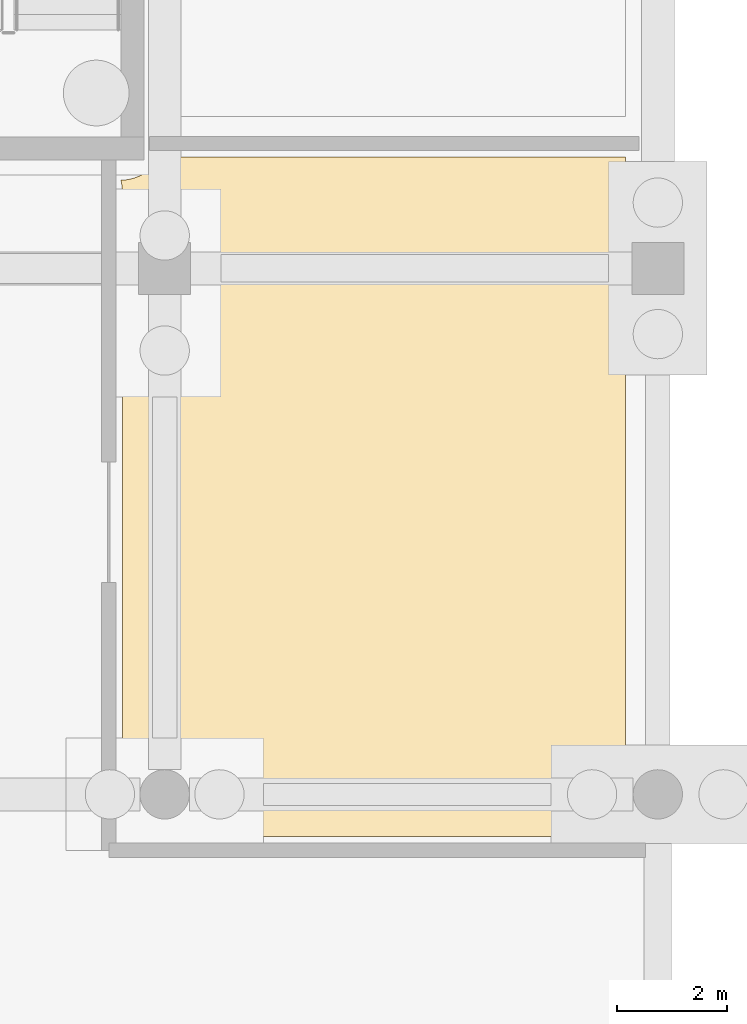
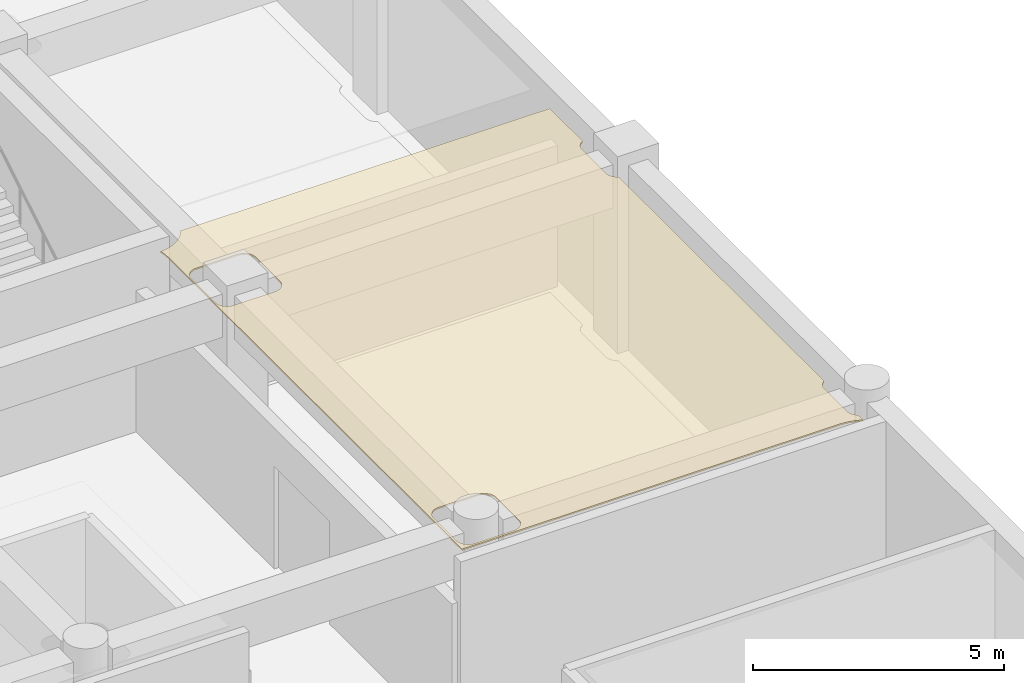
# One storey, part 46 of 47: 1 covering.
"""IFC4 building model written with IfcOpenShell, lengths in metres."""

from ifc_helpers import new_model, si_unit, direction, frame, origin, place, context, subcontext, project, spatial, polyline, outline, extrude, material, layer, layer_set, type_object, element, save


model = new_model("IFC4")

# Units and contexts
model_context = context("Model", 3, precision=1e-05, world=origin(), true_north=direction((0.0, 1.0)))
body_context = subcontext(model_context, "Body", "Model", "MODEL_VIEW")
ifc_project = project(units=[si_unit("LENGTHUNIT", "METRE"), si_unit("AREAUNIT", "SQUARE_METRE"), si_unit("VOLUMEUNIT", "CUBIC_METRE"), si_unit("PLANEANGLEUNIT", "RADIAN"), si_unit("MASSUNIT", "GRAM", prefix="KILO")], contexts=[model_context])

# Site, building, storey
site_placement = place(None, origin())
site = spatial("IfcSite", under=ifc_project, at=site_placement, CompositionType="ELEMENT")
building_placement = place(site_placement, origin())
building = spatial("IfcBuilding", under=site, at=building_placement, Name="Cendralis Terraced Arcade", CompositionType="ELEMENT")
storey_placement = place(building_placement, frame((0.0, 0.0, -4.800048828125)))
storey = spatial("IfcBuildingStorey", under=building, at=storey_placement, Name="B1", CompositionType="ELEMENT", Elevation=-4.800048828125)

# Covering
ifc_material = material(Name="Warm Andean oak timber", Category="wood")
ifc_layer = layer(ifc_material, 0.034912109375, Name="COV-CEIL-OAK-35")
ifc_layer_set = layer_set([ifc_layer], Name="Warm Andean oak timber")
covering_type = type_object("IfcCoveringType", Name="COV-CEIL-OAK-35", PredefinedType="CEILING", material=ifc_layer_set)
covering_placement = place(storey_placement, frame((0.0, 0.0, 4.465087890625)))
element("IfcCovering", 1, at=covering_placement, inside=storey, type_object=covering_type, Name="Acoustic Soffit Ceiling B1-015", PredefinedType="CEILING", context=body_context, shape_type="SweptSolid", body=[
    extrude(outline(polyline([(156.406005859375, 71.210205078125), (156.412109375, 71.210205078125), (156.418212890625, 71.21044921875), (156.459228515625, 71.21240234375), (156.4716796875, 71.21337890625), (156.4833984375, 71.214599609375), (156.49560546875, 71.216064453125), (156.5361328125, 71.22216796875), (156.54833984375, 71.22412109375), (156.559814453125, 71.2265625), (156.57177734375, 71.229248046875), (156.61181640625, 71.2392578125), (156.62353515625, 71.242431640625), (156.635009765625, 71.245849609375), (156.646484375, 71.249755859375), (156.685302734375, 71.263671875), (156.69677734375, 71.26806640625), (156.707763671875, 71.2724609375), (156.718994140625, 71.277587890625), (156.756103515625, 71.295166015625), (156.76708984375, 71.300537109375), (156.777587890625, 71.30615234375), (156.7880859375, 71.312255859375), (156.823486328125, 71.33349609375), (156.833984375, 71.340087890625), (156.84375, 71.346435546875), (156.853759765625, 71.353515625), (156.886962890625, 71.378173828125), (156.896484375, 71.3857421875), (156.905517578125, 71.393310546875), (156.914794921875, 71.401123046875), (156.945556640625, 71.428955078125), (156.954345703125, 71.437255859375), (156.962646484375, 71.44580078125), (156.97119140625, 71.45458984375), (156.998779296875, 71.485107421875), (157.0068359375, 71.494384765625), (157.014404296875, 71.50341796875), (157.02197265625, 71.51318359375), (157.04638671875, 71.54638671875), (157.053466796875, 71.556396484375), (157.06005859375, 71.566162109375), (157.066650390625, 71.576416015625), (157.087890625, 71.61181640625), (157.09375, 71.62255859375), (157.097900390625, 71.6298828125), (165.610107421875, 71.6298828125), (165.610107421875, 70.3193359375), (165.608642578125, 70.318603515625), (165.5869140625, 70.30712890625), (165.58544921875, 70.30615234375), (165.56494140625, 70.29248046875), (165.5634765625, 70.291259765625), (165.54443359375, 70.275634765625), (165.54296875, 70.2744140625), (165.525634765625, 70.257080078125), (165.5244140625, 70.255615234375), (165.5087890625, 70.236572265625), (165.507568359375, 70.235107421875), (165.493896484375, 70.214599609375), (165.492919921875, 70.212890625), (165.4814453125, 70.19140625), (165.48046875, 70.189453125), (165.47119140625, 70.1669921875), (165.470458984375, 70.1650390625), (165.46337890625, 70.1416015625), (165.462890625, 70.1396484375), (165.4580078125, 70.115478515625), (165.457763671875, 70.113525390625), (165.455322265625, 70.089111328125), (165.455322265625, 70.08740234375), (165.455078125, 70.074951171875), (165.455078125, 69.125), (165.455322265625, 69.11279296875), (165.455322265625, 69.11083984375), (165.457763671875, 69.08642578125), (165.4580078125, 69.08447265625), (165.462890625, 69.060302734375), (165.46337890625, 69.058349609375), (165.470458984375, 69.034912109375), (165.47119140625, 69.033203125), (165.48046875, 69.010498046875), (165.4814453125, 69.0087890625), (165.492919921875, 68.987060546875), (165.493896484375, 68.9853515625), (165.507568359375, 68.965087890625), (165.5087890625, 68.96337890625), (165.5244140625, 68.9443359375), (165.525634765625, 68.943115234375), (165.54296875, 68.925537109375), (165.54443359375, 68.92431640625), (165.5634765625, 68.90869140625), (165.56494140625, 68.90771484375), (165.58544921875, 68.893798828125), (165.5869140625, 68.892822265625), (165.608642578125, 68.88134765625), (165.610107421875, 68.880615234375), (165.610107421875, 60.680908203125), (165.590087890625, 60.66748046875), (165.58837890625, 60.666259765625), (165.5693359375, 60.650634765625), (165.568115234375, 60.6494140625), (165.550537109375, 60.632080078125), (165.54931640625, 60.630615234375), (165.53369140625, 60.611572265625), (165.53271484375, 60.610107421875), (165.518798828125, 60.589599609375), (165.517822265625, 60.587890625), (165.50634765625, 60.56640625), (165.505615234375, 60.564453125), (165.49609375, 60.5419921875), (165.49560546875, 60.5400390625), (165.48828125, 60.5166015625), (165.48779296875, 60.5146484375), (165.483154296875, 60.490478515625), (165.48291015625, 60.488525390625), (165.48046875, 60.464111328125), (165.480224609375, 60.46240234375), (165.47998046875, 60.449951171875), (165.47998046875, 59.550048828125), (165.480224609375, 59.53759765625), (165.48046875, 59.535888671875), (165.48291015625, 59.511474609375), (165.483154296875, 59.509521484375), (165.48779296875, 59.4853515625), (165.48828125, 59.4833984375), (165.49560546875, 59.4599609375), (165.49609375, 59.4580078125), (165.505615234375, 59.435546875), (165.50634765625, 59.43359375), (165.517822265625, 59.412109375), (165.518798828125, 59.410400390625), (165.53271484375, 59.389892578125), (165.53369140625, 59.388427734375), (165.54931640625, 59.369384765625), (165.550537109375, 59.367919921875), (165.568115234375, 59.3505859375), (165.5693359375, 59.349365234375), (165.58837890625, 59.333740234375), (165.590087890625, 59.33251953125), (165.610107421875, 59.319091796875), (165.610107421875, 59.115234375), (165.56689453125, 59.1357421875), (165.561279296875, 59.13818359375), (165.555908203125, 59.140625), (165.55029296875, 59.14306640625), (165.539306640625, 59.147705078125), (165.53369140625, 59.14990234375), (165.528076171875, 59.152099609375), (165.522216796875, 59.154296875), (165.465087890625, 59.1748046875), (165.459228515625, 59.1767578125), (165.45361328125, 59.178466796875), (165.44775390625, 59.180419921875), (165.4365234375, 59.183837890625), (165.4306640625, 59.185546875), (165.425048828125, 59.18701171875), (165.4189453125, 59.188720703125), (165.360107421875, 59.203369140625), (165.35400390625, 59.204833984375), (165.348388671875, 59.2060546875), (165.34228515625, 59.20751953125), (165.330810546875, 59.209716796875), (165.32470703125, 59.210693359375), (165.31884765625, 59.2119140625), (165.31298828125, 59.212890625), (165.252685546875, 59.2216796875), (165.24658203125, 59.222412109375), (165.24072265625, 59.223388671875), (165.234619140625, 59.223876953125), (165.222900390625, 59.22509765625), (165.216796875, 59.2255859375), (165.2109375, 59.22607421875), (165.204833984375, 59.226318359375), (165.14404296875, 59.2294921875), (165.14111328125, 59.2294921875), (165.137939453125, 59.2294921875), (165.135009765625, 59.229736328125), (165.129150390625, 59.22998046875), (165.1259765625, 59.22998046875), (165.123046875, 59.22998046875), (165.1201171875, 59.22998046875), (156.429931640625, 59.22998046875), (156.429931640625, 70.9599609375), (156.429931640625, 70.963134765625), (156.429931640625, 70.966064453125), (156.429931640625, 70.968994140625), (156.4296875, 70.97509765625), (156.4296875, 70.97802734375), (156.429443359375, 70.98095703125), (156.429443359375, 70.98388671875), (156.426513671875, 71.044921875), (156.426025390625, 71.05078125), (156.425537109375, 71.056884765625), (156.425048828125, 71.06298828125), (156.423828125, 71.07470703125), (156.42333984375, 71.080810546875), (156.422607421875, 71.086669921875), (156.421630859375, 71.0927734375), (156.412841796875, 71.15283203125), (156.411865234375, 71.158935546875), (156.410888671875, 71.164794921875), (156.40966796875, 71.170654296875), (156.407470703125, 71.182373046875), (156.406005859375, 71.188232421875), (156.40478515625, 71.194091796875), (156.4033203125, 71.199951171875), (156.40087890625, 71.2099609375), (156.406005859375, 71.210205078125)]), holes=[polyline([(156.608642578125, 68.88134765625), (156.610595703125, 68.880615234375), (156.633056640625, 68.87109375), (156.635009765625, 68.87060546875), (156.658447265625, 68.86328125), (156.660400390625, 68.86279296875), (156.684326171875, 68.858154296875), (156.686279296875, 68.85791015625), (156.710693359375, 68.85546875), (156.712646484375, 68.855224609375), (156.72509765625, 68.85498046875), (157.675048828125, 68.85498046875), (157.687255859375, 68.855224609375), (157.689208984375, 68.85546875), (157.713623046875, 68.85791015625), (157.715576171875, 68.858154296875), (157.739501953125, 68.86279296875), (157.74169921875, 68.86328125), (157.764892578125, 68.87060546875), (157.766845703125, 68.87109375), (157.78955078125, 68.880615234375), (157.791259765625, 68.88134765625), (157.81298828125, 68.892822265625), (157.814697265625, 68.893798828125), (157.8349609375, 68.90771484375), (157.836669921875, 68.90869140625), (157.855712890625, 68.92431640625), (157.85693359375, 68.925537109375), (157.87451171875, 68.943115234375), (157.875732421875, 68.9443359375), (157.891357421875, 68.96337890625), (157.892333984375, 68.965087890625), (157.906005859375, 68.9853515625), (157.906982421875, 68.987060546875), (157.918701171875, 69.0087890625), (157.91943359375, 69.010498046875), (157.928955078125, 69.033203125), (157.929443359375, 69.034912109375), (157.9365234375, 69.058349609375), (157.93701171875, 69.060302734375), (157.94189453125, 69.08447265625), (157.942138671875, 69.08642578125), (157.944580078125, 69.11083984375), (157.944580078125, 69.11279296875), (157.945068359375, 69.125), (157.945068359375, 70.074951171875), (157.944580078125, 70.08740234375), (157.944580078125, 70.089111328125), (157.942138671875, 70.113525390625), (157.94189453125, 70.115478515625), (157.93701171875, 70.1396484375), (157.9365234375, 70.1416015625), (157.929443359375, 70.1650390625), (157.928955078125, 70.1669921875), (157.91943359375, 70.189453125), (157.918701171875, 70.19140625), (157.906982421875, 70.212890625), (157.906005859375, 70.214599609375), (157.892333984375, 70.235107421875), (157.891357421875, 70.236572265625), (157.875732421875, 70.255615234375), (157.87451171875, 70.257080078125), (157.85693359375, 70.2744140625), (157.855712890625, 70.275634765625), (157.836669921875, 70.291259765625), (157.8349609375, 70.29248046875), (157.814697265625, 70.30615234375), (157.81298828125, 70.30712890625), (157.791259765625, 70.318603515625), (157.78955078125, 70.319580078125), (157.766845703125, 70.328857421875), (157.764892578125, 70.32958984375), (157.74169921875, 70.336669921875), (157.739501953125, 70.337158203125), (157.715576171875, 70.341796875), (157.713623046875, 70.34228515625), (157.689208984375, 70.344482421875), (157.687255859375, 70.3447265625), (157.675048828125, 70.344970703125), (156.72509765625, 70.344970703125), (156.712646484375, 70.3447265625), (156.710693359375, 70.344482421875), (156.686279296875, 70.34228515625), (156.684326171875, 70.341796875), (156.660400390625, 70.337158203125), (156.658447265625, 70.336669921875), (156.635009765625, 70.32958984375), (156.633056640625, 70.328857421875), (156.610595703125, 70.319580078125), (156.608642578125, 70.318603515625), (156.5869140625, 70.30712890625), (156.58544921875, 70.30615234375), (156.56494140625, 70.29248046875), (156.5634765625, 70.291259765625), (156.54443359375, 70.275634765625), (156.54296875, 70.2744140625), (156.525634765625, 70.257080078125), (156.5244140625, 70.255615234375), (156.5087890625, 70.236572265625), (156.507568359375, 70.235107421875), (156.493896484375, 70.214599609375), (156.492919921875, 70.212890625), (156.4814453125, 70.19140625), (156.48046875, 70.189453125), (156.47119140625, 70.1669921875), (156.470458984375, 70.1650390625), (156.46337890625, 70.1416015625), (156.462890625, 70.1396484375), (156.4580078125, 70.115478515625), (156.457763671875, 70.113525390625), (156.455322265625, 70.089111328125), (156.455322265625, 70.08740234375), (156.455078125, 70.074951171875), (156.455078125, 69.125), (156.455322265625, 69.11279296875), (156.455322265625, 69.11083984375), (156.457763671875, 69.08642578125), (156.4580078125, 69.08447265625), (156.462890625, 69.060302734375), (156.46337890625, 69.058349609375), (156.470458984375, 69.034912109375), (156.47119140625, 69.033203125), (156.48046875, 69.010498046875), (156.4814453125, 69.0087890625), (156.492919921875, 68.987060546875), (156.493896484375, 68.9853515625), (156.507568359375, 68.965087890625), (156.5087890625, 68.96337890625), (156.5244140625, 68.9443359375), (156.525634765625, 68.943115234375), (156.54296875, 68.925537109375), (156.54443359375, 68.92431640625), (156.5634765625, 68.90869140625), (156.56494140625, 68.90771484375), (156.58544921875, 68.893798828125), (156.5869140625, 68.892822265625), (156.608642578125, 68.88134765625)]), polyline([(156.6337890625, 59.306396484375), (156.635498046875, 59.305419921875), (156.658203125, 59.296142578125), (156.659912109375, 59.29541015625), (156.683349609375, 59.288330078125), (156.685302734375, 59.287841796875), (156.70947265625, 59.283203125), (156.71142578125, 59.28271484375), (156.73583984375, 59.280517578125), (156.73779296875, 59.2802734375), (156.75, 59.280029296875), (157.64990234375, 59.280029296875), (157.662353515625, 59.2802734375), (157.664306640625, 59.280517578125), (157.688720703125, 59.28271484375), (157.690673828125, 59.283203125), (157.714599609375, 59.287841796875), (157.716552734375, 59.288330078125), (157.739990234375, 59.29541015625), (157.741943359375, 59.296142578125), (157.764404296875, 59.305419921875), (157.766357421875, 59.306396484375), (157.7880859375, 59.31787109375), (157.78955078125, 59.31884765625), (157.81005859375, 59.33251953125), (157.8115234375, 59.333740234375), (157.83056640625, 59.349365234375), (157.83203125, 59.3505859375), (157.849365234375, 59.367919921875), (157.8505859375, 59.369384765625), (157.8662109375, 59.388427734375), (157.867431640625, 59.389892578125), (157.881103515625, 59.410400390625), (157.882080078125, 59.412109375), (157.8935546875, 59.43359375), (157.89453125, 59.435546875), (157.90380859375, 59.4580078125), (157.904541015625, 59.4599609375), (157.91162109375, 59.4833984375), (157.912109375, 59.4853515625), (157.9169921875, 59.509521484375), (157.917236328125, 59.511474609375), (157.919677734375, 59.535888671875), (157.919677734375, 59.53759765625), (157.919921875, 59.550048828125), (157.919921875, 60.449951171875), (157.919677734375, 60.46240234375), (157.919677734375, 60.464111328125), (157.917236328125, 60.488525390625), (157.9169921875, 60.490478515625), (157.912109375, 60.5146484375), (157.91162109375, 60.5166015625), (157.904541015625, 60.5400390625), (157.90380859375, 60.5419921875), (157.89453125, 60.564453125), (157.8935546875, 60.56640625), (157.882080078125, 60.587890625), (157.881103515625, 60.589599609375), (157.867431640625, 60.610107421875), (157.8662109375, 60.611572265625), (157.8505859375, 60.630615234375), (157.849365234375, 60.632080078125), (157.83203125, 60.6494140625), (157.83056640625, 60.650634765625), (157.8115234375, 60.666259765625), (157.81005859375, 60.66748046875), (157.78955078125, 60.68115234375), (157.7880859375, 60.68212890625), (157.766357421875, 60.693603515625), (157.764404296875, 60.694580078125), (157.741943359375, 60.703857421875), (157.739990234375, 60.70458984375), (157.716552734375, 60.711669921875), (157.714599609375, 60.712158203125), (157.690673828125, 60.716796875), (157.688720703125, 60.71728515625), (157.664306640625, 60.719482421875), (157.662353515625, 60.7197265625), (157.64990234375, 60.719970703125), (156.75, 60.719970703125), (156.73779296875, 60.7197265625), (156.73583984375, 60.719482421875), (156.71142578125, 60.71728515625), (156.70947265625, 60.716796875), (156.685302734375, 60.712158203125), (156.683349609375, 60.711669921875), (156.659912109375, 60.70458984375), (156.658203125, 60.703857421875), (156.635498046875, 60.694580078125), (156.6337890625, 60.693603515625), (156.612060546875, 60.68212890625), (156.6103515625, 60.68115234375), (156.590087890625, 60.66748046875), (156.58837890625, 60.666259765625), (156.5693359375, 60.650634765625), (156.568115234375, 60.6494140625), (156.550537109375, 60.632080078125), (156.54931640625, 60.630615234375), (156.53369140625, 60.611572265625), (156.53271484375, 60.610107421875), (156.518798828125, 60.589599609375), (156.517822265625, 60.587890625), (156.50634765625, 60.56640625), (156.505615234375, 60.564453125), (156.49609375, 60.5419921875), (156.49560546875, 60.5400390625), (156.48828125, 60.5166015625), (156.48779296875, 60.5146484375), (156.483154296875, 60.490478515625), (156.48291015625, 60.488525390625), (156.48046875, 60.464111328125), (156.480224609375, 60.46240234375), (156.47998046875, 60.449951171875), (156.47998046875, 59.550048828125), (156.480224609375, 59.53759765625), (156.48046875, 59.535888671875), (156.48291015625, 59.511474609375), (156.483154296875, 59.509521484375), (156.48779296875, 59.4853515625), (156.48828125, 59.4833984375), (156.49560546875, 59.4599609375), (156.49609375, 59.4580078125), (156.505615234375, 59.435546875), (156.50634765625, 59.43359375), (156.517822265625, 59.412109375), (156.518798828125, 59.410400390625), (156.53271484375, 59.389892578125), (156.53369140625, 59.388427734375), (156.54931640625, 59.369384765625), (156.550537109375, 59.367919921875), (156.568115234375, 59.3505859375), (156.5693359375, 59.349365234375), (156.58837890625, 59.333740234375), (156.590087890625, 59.33251953125), (156.6103515625, 59.31884765625), (156.612060546875, 59.31787109375), (156.6337890625, 59.306396484375)])]), origin(), (0.0, 0.0, 1.0), 0.034912109375),
])

save(model, "model.ifc")
